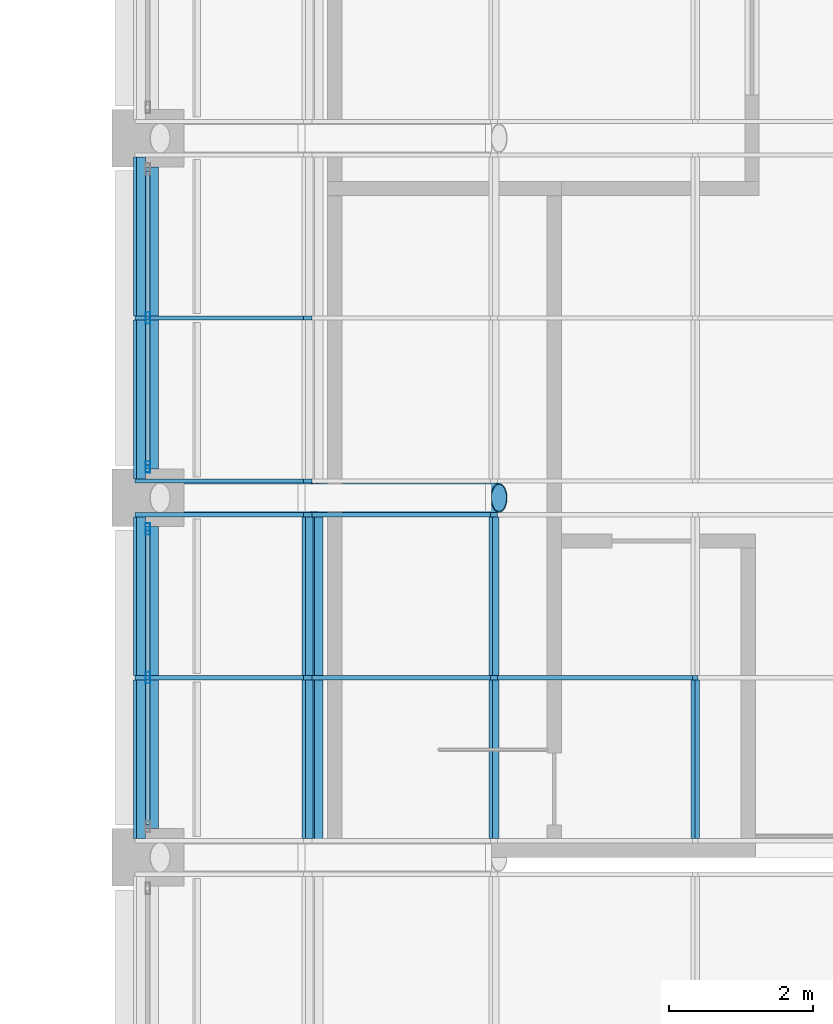
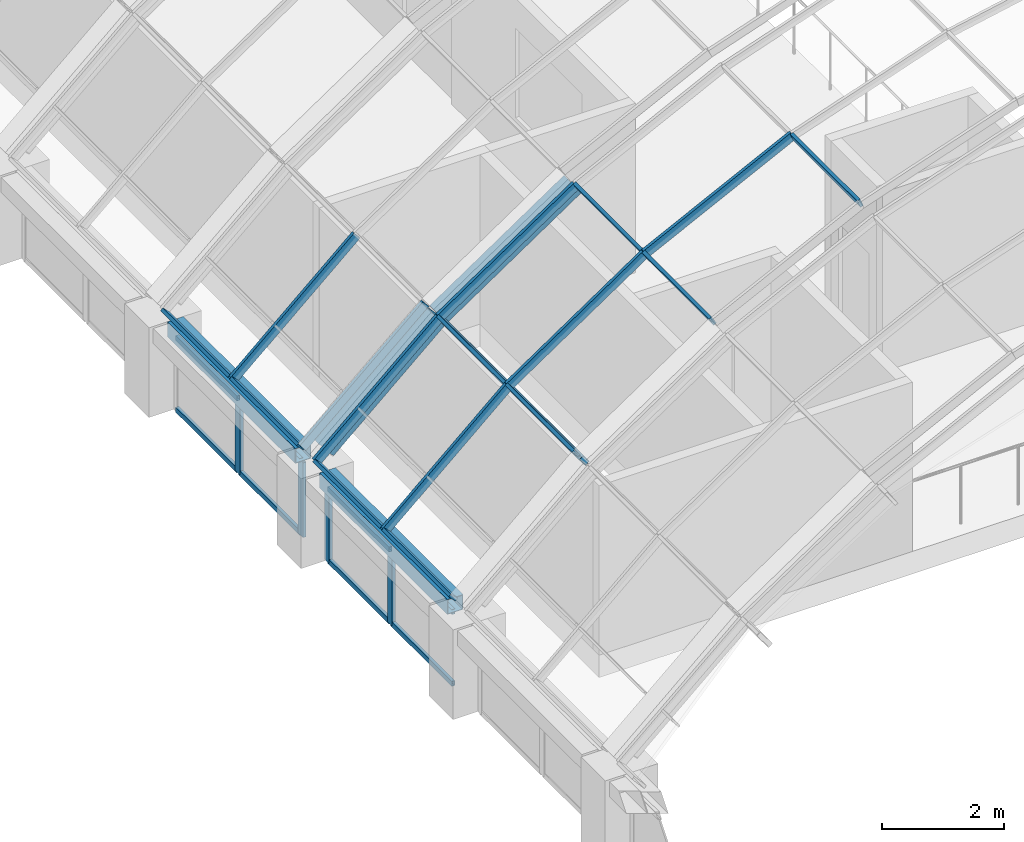
# One storey, part 38 of 182: 31 members, 2 beams, 4 elements without a shape of their own.
"""IFC4 building model written with IfcOpenShell, lengths in metres."""

from ifc_helpers import new_model, si_unit, direction, frame, origin, origin_2d, place, context, subcontext, project, spatial, rectangle, hollow_rectangle, hollow_circle, extrude, material, material_profile, profile_set, type_object, element, aggregate, save


model = new_model("IFC4")

# Units and contexts
model_context = context("Model", 3, precision=1e-05, world=origin(), true_north=direction((0.0, 1.0)))
body_context = subcontext(model_context, "Body", "Model", "MODEL_VIEW")
ifc_project = project(units=[si_unit("LENGTHUNIT", "METRE"), si_unit("AREAUNIT", "SQUARE_METRE"), si_unit("VOLUMEUNIT", "CUBIC_METRE"), si_unit("PLANEANGLEUNIT", "RADIAN"), si_unit("MASSUNIT", "GRAM", prefix="KILO")], contexts=[model_context])

# Site, building, storey
site_placement = place(None, origin())
site = spatial("IfcSite", under=ifc_project, at=site_placement, CompositionType="ELEMENT")
building_placement = place(site_placement, origin())
building = spatial("IfcBuilding", under=site, at=building_placement, Name="Okhra Congress Centre", CompositionType="ELEMENT")
storey_placement = place(building_placement, frame((0.0, 0.0, 7.199951171875)))
storey = spatial("IfcBuildingStorey", under=building, at=storey_placement, Name="L01", CompositionType="ELEMENT", Elevation=7.199951171875)

# Curtain wall, members
ifc_material_1 = material(Name="Aluminium frame with triple glazing", Category="aluminium")
curtain_wall_type_1 = type_object("IfcCurtainWallType", Name="Glazed vault bay curtain wall", PredefinedType="NOTDEFINED", material=ifc_material_1)
curtain_wall_1_placement = place(storey_placement, origin())
curtain_wall_1 = element("IfcCurtainWall", 1, at=curtain_wall_1_placement, inside=storey, type_object=curtain_wall_type_1, Name="Vault glazing bay 5", PredefinedType="NOTDEFINED")
ifc_material_2 = material(Name="Aluminium alloy 6063", Category="aluminium")
ifc_material_profile_1 = material_profile(ifc_material_2, rectangle(XDim=0.06005859375, YDim=0.179931640625, at=origin_2d()), Name="AL 60x180")
ifc_profile_set_1 = profile_set([ifc_material_profile_1], Name="Aluminium alloy 6063")
member_type_1 = type_object("IfcMemberType", Name="Aluminium mullion 60x180", PredefinedType="MULLION", material=ifc_profile_set_1)
member_1_placement = place(storey_placement, frame((155.382568359375, 98.5, 1.916015625), z_axis=(0.748025229923, 0.0, 0.663670291183), x_axis=(0.0, 1.0, 0.0)))
member_1 = element("IfcMember", 2, at=member_1_placement, type_object=member_type_1, Name="Vault mullion 5.2.1", PredefinedType="MULLION", context=body_context, shape_type="SweptSolid", body=[
    extrude(rectangle(XDim=0.06005859375, YDim=0.179931640625, at=origin_2d()), origin(), (0.0, 0.0, 1.0), 3.125732421875),
])
member_2_placement = place(storey_placement, frame((157.720703125, 98.5, 3.990478515625), z_axis=(0.828827846338, 0.0, 0.559503709671), x_axis=(0.0, 1.0, 0.0)))
member_2 = element("IfcMember", 3, at=member_2_placement, type_object=member_type_1, Name="Vault mullion 5.2.2", PredefinedType="MULLION", context=body_context, shape_type="SweptSolid", body=[
    extrude(rectangle(XDim=0.06005859375, YDim=0.179931640625, at=origin_2d()), origin(), (0.0, 0.0, 1.0), 3.12548828125),
])
member_3_placement = place(storey_placement, frame((160.311279296875, 98.5, 5.7392578125), z_axis=(0.895253656313, 0.0, 0.445556832354), x_axis=(0.0, 1.0, 0.0)))
member_3 = element("IfcMember", 4, at=member_3_placement, type_object=member_type_1, Name="Vault mullion 5.2.3", PredefinedType="MULLION", context=body_context, shape_type="SweptSolid", body=[
    extrude(rectangle(XDim=0.06005859375, YDim=0.179931640625, at=origin_2d()), origin(), (0.0, 0.0, 1.0), 3.12548828125),
])
member_4_placement = place(storey_placement, frame((155.382568359375, 100.766845703125, 1.916015625), z_axis=(0.748025229923, 0.0, 0.663670291183), x_axis=(0.0, 1.0, 0.0)))
member_4 = element("IfcMember", 5, at=member_4_placement, type_object=member_type_1, Name="Vault mullion 5.3.1", PredefinedType="MULLION", context=body_context, shape_type="SweptSolid", body=[
    extrude(rectangle(XDim=0.06005859375, YDim=0.179931640625, at=origin_2d()), origin(), (0.0, 0.0, 1.0), 3.125732421875),
])
member_5_placement = place(storey_placement, frame((157.720703125, 100.766845703125, 3.990478515625), z_axis=(0.828827846338, 0.0, 0.559503709671), x_axis=(0.0, 1.0, 0.0)))
member_5 = element("IfcMember", 6, at=member_5_placement, type_object=member_type_1, Name="Vault mullion 5.3.2", PredefinedType="MULLION", context=body_context, shape_type="SweptSolid", body=[
    extrude(rectangle(XDim=0.06005859375, YDim=0.179931640625, at=origin_2d()), origin(), (0.0, 0.0, 1.0), 3.12548828125),
])

curtain_wall_2_placement = place(storey_placement, origin())
curtain_wall_2 = element("IfcCurtainWall", 7, at=curtain_wall_2_placement, inside=storey, type_object=curtain_wall_type_1, Name="Vault glazing bay 6", PredefinedType="NOTDEFINED")
member_6_placement = place(storey_placement, frame((155.382568359375, 101.233154296875, 1.916015625), z_axis=(0.748025229923, 0.0, 0.663670291183), x_axis=(0.0, 1.0, 0.0)))
member_6 = element("IfcMember", 8, at=member_6_placement, type_object=member_type_1, Name="Vault mullion 6.1.1", PredefinedType="MULLION", context=body_context, shape_type="SweptSolid", body=[
    extrude(rectangle(XDim=0.06005859375, YDim=0.179931640625, at=origin_2d()), origin(), (0.0, 0.0, 1.0), 3.125732421875),
])
member_7_placement = place(storey_placement, frame((155.382568359375, 103.5, 1.916015625), z_axis=(0.748025229923, 0.0, 0.663670291183), x_axis=(0.0, 1.0, 0.0)))
member_7 = element("IfcMember", 9, at=member_7_placement, type_object=member_type_1, Name="Vault mullion 6.2.1", PredefinedType="MULLION", context=body_context, shape_type="SweptSolid", body=[
    extrude(rectangle(XDim=0.06005859375, YDim=0.179931640625, at=origin_2d()), origin(), (0.0, 0.0, 1.0), 3.125732421875),
])

# Member
ifc_material_profile_2 = material_profile(ifc_material_2, rectangle(XDim=0.06005859375, YDim=0.159912109375, at=origin_2d()), Name="AL 60x160 transom")
ifc_profile_set_2 = profile_set([ifc_material_profile_2], Name="Aluminium alloy 6063")
member_type_2 = type_object("IfcMemberType", Name="Aluminium transom 60x160", PredefinedType="USERDEFINED", material=ifc_profile_set_2)
member_8_placement = place(storey_placement, frame((163.11328125, 96.26318359375, 7.12255859375), z_axis=(0.0, 1.0, 0.0), x_axis=(-0.922668973833, 0.0, -0.38559300399)))
member_8 = element("IfcMember", 10, at=member_8_placement, type_object=member_type_2, Name="Vault transom 5.1.4", ObjectType="TRANSOM", PredefinedType="USERDEFINED", context=body_context, shape_type="SweptSolid", body=[
    extrude(rectangle(XDim=0.06005859375, YDim=0.159912109375, at=origin_2d()), origin(), (0.0, 0.0, 1.0), 2.206787109375),
])

ifc_material_profile_3 = material_profile(ifc_material_2, rectangle(XDim=0.06005859375, YDim=0.179931640625, at=origin_2d()), Name="AL 60x180 transom")
ifc_profile_set_3 = profile_set([ifc_material_profile_3], Name="Aluminium alloy 6063")
member_type_3 = type_object("IfcMemberType", Name="Aluminium transom 60x180", PredefinedType="USERDEFINED", material=ifc_profile_set_3)
member_9_placement = place(storey_placement, frame((155.382568359375, 96.26318359375, 1.916015625), z_axis=(0.0, 1.0, 0.0), x_axis=(-0.702636070549, 0.0, -0.711549402616)))
member_9 = element("IfcMember", 11, at=member_9_placement, type_object=member_type_3, Name="Vault transom 5.1.1", ObjectType="TRANSOM", PredefinedType="USERDEFINED", context=body_context, shape_type="SweptSolid", body=[
    extrude(rectangle(XDim=0.06005859375, YDim=0.179931640625, at=origin_2d()), origin(), (0.0, 0.0, 1.0), 2.206787109375),
])

member_10_placement = place(storey_placement, frame((157.720703125, 96.26318359375, 3.990478515625), z_axis=(0.0, 1.0, 0.0), x_axis=(-0.790145035185, 0.0, -0.612919915954)))
member_10 = element("IfcMember", 12, at=member_10_placement, type_object=member_type_3, Name="Vault transom 5.1.2", ObjectType="TRANSOM", PredefinedType="USERDEFINED", context=body_context, shape_type="SweptSolid", body=[
    extrude(rectangle(XDim=0.06005859375, YDim=0.179931640625, at=origin_2d()), origin(), (0.0, 0.0, 1.0), 2.206787109375),
])

member_11_placement = place(storey_placement, frame((160.311279296875, 96.26318359375, 5.7392578125), z_axis=(0.0, 1.0, 0.0), x_axis=(-0.86391685861, 0.0, -0.503634452167)))
member_11 = element("IfcMember", 13, at=member_11_placement, type_object=member_type_3, Name="Vault transom 5.1.3", ObjectType="TRANSOM", PredefinedType="USERDEFINED", context=body_context, shape_type="SweptSolid", body=[
    extrude(rectangle(XDim=0.06005859375, YDim=0.179931640625, at=origin_2d()), origin(), (0.0, 0.0, 1.0), 2.206787109375),
])

member_12_placement = place(storey_placement, frame((155.382568359375, 98.530029296875, 1.916015625), z_axis=(0.0, 1.0, 0.0), x_axis=(-0.702636070549, 0.0, -0.711549402616)))
member_12 = element("IfcMember", 14, at=member_12_placement, type_object=member_type_3, Name="Vault transom 5.2.1", ObjectType="TRANSOM", PredefinedType="USERDEFINED", context=body_context, shape_type="SweptSolid", body=[
    extrude(rectangle(XDim=0.06005859375, YDim=0.179931640625, at=origin_2d()), origin(), (0.0, 0.0, 1.0), 2.206787109375),
])

member_13_placement = place(storey_placement, frame((157.720703125, 98.530029296875, 3.990478515625), z_axis=(0.0, 1.0, 0.0), x_axis=(-0.790145035185, 0.0, -0.612919915954)))
member_13 = element("IfcMember", 15, at=member_13_placement, type_object=member_type_3, Name="Vault transom 5.2.2", ObjectType="TRANSOM", PredefinedType="USERDEFINED", context=body_context, shape_type="SweptSolid", body=[
    extrude(rectangle(XDim=0.06005859375, YDim=0.179931640625, at=origin_2d()), origin(), (0.0, 0.0, 1.0), 2.206787109375),
])

member_14_placement = place(storey_placement, frame((160.311279296875, 98.530029296875, 5.7392578125), z_axis=(0.0, 1.0, 0.0), x_axis=(-0.86391685861, 0.0, -0.503634452167)))
member_14 = element("IfcMember", 16, at=member_14_placement, type_object=member_type_3, Name="Vault transom 5.2.3", ObjectType="TRANSOM", PredefinedType="USERDEFINED", context=body_context, shape_type="SweptSolid", body=[
    extrude(rectangle(XDim=0.06005859375, YDim=0.179931640625, at=origin_2d()), origin(), (0.0, 0.0, 1.0), 2.206787109375),
])

aggregate(curtain_wall_1, [member_1, member_2, member_3, member_4, member_5, member_9, member_10, member_11, member_8, member_12, member_13, member_14])

member_15_placement = place(storey_placement, frame((155.382568359375, 101.26318359375, 1.916015625), z_axis=(0.0, 1.0, 0.0), x_axis=(-0.702636070549, 0.0, -0.711549402616)))
member_15 = element("IfcMember", 17, at=member_15_placement, type_object=member_type_3, Name="Vault transom 6.1.1", ObjectType="TRANSOM", PredefinedType="USERDEFINED", context=body_context, shape_type="SweptSolid", body=[
    extrude(rectangle(XDim=0.06005859375, YDim=0.179931640625, at=origin_2d()), origin(), (0.0, 0.0, 1.0), 2.206787109375),
])

member_16_placement = place(storey_placement, frame((155.382568359375, 103.530029296875, 1.916015625), z_axis=(0.0, 1.0, 0.0), x_axis=(-0.702636070549, 0.0, -0.711549402616)))
member_16 = element("IfcMember", 18, at=member_16_placement, type_object=member_type_3, Name="Vault transom 6.2.1", ObjectType="TRANSOM", PredefinedType="USERDEFINED", context=body_context, shape_type="SweptSolid", body=[
    extrude(rectangle(XDim=0.06005859375, YDim=0.179931640625, at=origin_2d()), origin(), (0.0, 0.0, 1.0), 2.206787109375),
])

aggregate(curtain_wall_2, [member_6, member_7, member_15, member_16])

# Curtain wall, members
ifc_material_3 = material(Name="Aluminium curtain wall, triple glazing", Category="aluminium")
curtain_wall_type_2 = type_object("IfcCurtainWallType", Name="Curtain wall 2100 module", PredefinedType="NOTDEFINED", material=ifc_material_3)
curtain_wall_3_placement = place(storey_placement, origin())
curtain_wall_3 = element("IfcCurtainWall", 19, at=curtain_wall_3_placement, inside=storey, type_object=curtain_wall_type_2, Name="West bay 5 clerestory glazing", PredefinedType="NOTDEFINED")
ifc_material_4 = material(Name="Aluminium alloy EN AW-6063 T66", Category="aluminium")
ifc_material_profile_4 = material_profile(ifc_material_4, hollow_rectangle(XDim=0.06005859375, YDim=0.159912109375, WallThickness=0.00390625, at=origin_2d()), Name="RHS 60x160x4")
ifc_profile_set_4 = profile_set([ifc_material_profile_4], Name="Aluminium alloy EN AW-6063 T66")
member_type_4 = type_object("IfcMemberType", Name="Curtain wall mullion 60x160", PredefinedType="MULLION", material=ifc_profile_set_4)
member_17_placement = place(storey_placement, frame((155.5, 98.5, 0.0), z_axis=(0.0, 0.0, 1.0), x_axis=(-1.0, 0.0, 0.0)))
member_17 = element("IfcMember", 20, at=member_17_placement, type_object=member_type_4, Name="CW4 mullion 2", PredefinedType="MULLION", context=body_context, shape_type="SweptSolid", body=[
    extrude(hollow_rectangle(XDim=0.06005859375, YDim=0.159912109375, WallThickness=0.00390625, at=origin_2d()), origin(), (0.0, 0.0, 1.0), 1.5),
])
member_18_placement = place(storey_placement, frame((155.5, 100.570068359375, 0.0), z_axis=(0.0, 0.0, 1.0), x_axis=(-1.0, 0.0, 0.0)))
member_18 = element("IfcMember", 21, at=member_18_placement, type_object=member_type_4, Name="CW4 mullion 3", PredefinedType="MULLION", context=body_context, shape_type="SweptSolid", body=[
    extrude(hollow_rectangle(XDim=0.06005859375, YDim=0.159912109375, WallThickness=0.00390625, at=origin_2d()), origin(), (0.0, 0.0, 1.0), 1.5),
])

curtain_wall_4_placement = place(storey_placement, origin())
curtain_wall_4 = element("IfcCurtainWall", 22, at=curtain_wall_4_placement, inside=storey, type_object=curtain_wall_type_2, Name="West bay 6 clerestory glazing", PredefinedType="NOTDEFINED")
member_19_placement = place(storey_placement, frame((155.5, 101.429931640625, 0.0), z_axis=(0.0, 0.0, 1.0), x_axis=(-1.0, 0.0, 0.0)))
member_19 = element("IfcMember", 23, at=member_19_placement, type_object=member_type_4, Name="CW4 mullion 1", PredefinedType="MULLION", context=body_context, shape_type="SweptSolid", body=[
    extrude(hollow_rectangle(XDim=0.06005859375, YDim=0.159912109375, WallThickness=0.00390625, at=origin_2d()), origin(), (0.0, 0.0, 1.0), 1.5),
])
member_20_placement = place(storey_placement, frame((155.5, 103.5, 0.0), z_axis=(0.0, 0.0, 1.0), x_axis=(-1.0, 0.0, 0.0)))
member_20 = element("IfcMember", 24, at=member_20_placement, type_object=member_type_4, Name="CW4 mullion 2", PredefinedType="MULLION", context=body_context, shape_type="SweptSolid", body=[
    extrude(hollow_rectangle(XDim=0.06005859375, YDim=0.159912109375, WallThickness=0.00390625, at=origin_2d()), origin(), (0.0, 0.0, 1.0), 1.5),
])

# Member
ifc_material_profile_5 = material_profile(ifc_material_4, hollow_rectangle(XDim=0.06005859375, YDim=0.10009765625, WallThickness=0.00390625, at=origin_2d()), Name="RHS 60x100x4")
ifc_profile_set_5 = profile_set([ifc_material_profile_5], Name="Aluminium alloy EN AW-6063 T66")
member_type_5 = type_object("IfcMemberType", Name="Curtain wall transom 60x100", PredefinedType="USERDEFINED", material=ifc_profile_set_5)
member_21_placement = place(storey_placement, frame((155.5, 96.4599609375, 0.030029296875), z_axis=(0.0, 1.0, 0.0), x_axis=(-1.0, 0.0, 0.0)))
member_21 = element("IfcMember", 25, at=member_21_placement, type_object=member_type_5, Name="CW4 transom 1.1", ObjectType="TRANSOM", PredefinedType="USERDEFINED", context=body_context, shape_type="SweptSolid", body=[
    extrude(hollow_rectangle(XDim=0.06005859375, YDim=0.10009765625, WallThickness=0.00390625, at=origin_2d()), origin(), (0.0, 0.0, 1.0), 2.010009765625),
])

member_22_placement = place(storey_placement, frame((155.5, 96.4599609375, 1.469970703125), z_axis=(0.0, 1.0, 0.0), x_axis=(-1.0, 0.0, 0.0)))
member_22 = element("IfcMember", 26, at=member_22_placement, type_object=member_type_5, Name="CW4 transom 1.2", ObjectType="TRANSOM", PredefinedType="USERDEFINED", context=body_context, shape_type="SweptSolid", body=[
    extrude(hollow_rectangle(XDim=0.06005859375, YDim=0.10009765625, WallThickness=0.00390625, at=origin_2d()), origin(), (0.0, 0.0, 1.0), 2.010009765625),
])

member_23_placement = place(storey_placement, frame((155.5, 98.530029296875, 0.030029296875), z_axis=(0.0, 1.0, 0.0), x_axis=(-1.0, 0.0, 0.0)))
member_23 = element("IfcMember", 27, at=member_23_placement, type_object=member_type_5, Name="CW4 transom 2.1", ObjectType="TRANSOM", PredefinedType="USERDEFINED", context=body_context, shape_type="SweptSolid", body=[
    extrude(hollow_rectangle(XDim=0.06005859375, YDim=0.10009765625, WallThickness=0.00390625, at=origin_2d()), origin(), (0.0, 0.0, 1.0), 2.010009765625),
])

member_24_placement = place(storey_placement, frame((155.5, 98.530029296875, 1.469970703125), z_axis=(0.0, 1.0, 0.0), x_axis=(-1.0, 0.0, 0.0)))
member_24 = element("IfcMember", 28, at=member_24_placement, type_object=member_type_5, Name="CW4 transom 2.2", ObjectType="TRANSOM", PredefinedType="USERDEFINED", context=body_context, shape_type="SweptSolid", body=[
    extrude(hollow_rectangle(XDim=0.06005859375, YDim=0.10009765625, WallThickness=0.00390625, at=origin_2d()), origin(), (0.0, 0.0, 1.0), 2.010009765625),
])

aggregate(curtain_wall_3, [member_17, member_18, member_21, member_22, member_23, member_24])

member_25_placement = place(storey_placement, frame((155.5, 101.4599609375, 0.030029296875), z_axis=(0.0, 1.0, 0.0), x_axis=(-1.0, 0.0, 0.0)))
member_25 = element("IfcMember", 29, at=member_25_placement, type_object=member_type_5, Name="CW4 transom 1.1", ObjectType="TRANSOM", PredefinedType="USERDEFINED", context=body_context, shape_type="SweptSolid", body=[
    extrude(hollow_rectangle(XDim=0.06005859375, YDim=0.10009765625, WallThickness=0.00390625, at=origin_2d()), origin(), (0.0, 0.0, 1.0), 2.010009765625),
])

member_26_placement = place(storey_placement, frame((155.5, 101.4599609375, 1.469970703125), z_axis=(0.0, 1.0, 0.0), x_axis=(-1.0, 0.0, 0.0)))
member_26 = element("IfcMember", 30, at=member_26_placement, type_object=member_type_5, Name="CW4 transom 1.2", ObjectType="TRANSOM", PredefinedType="USERDEFINED", context=body_context, shape_type="SweptSolid", body=[
    extrude(hollow_rectangle(XDim=0.06005859375, YDim=0.10009765625, WallThickness=0.00390625, at=origin_2d()), origin(), (0.0, 0.0, 1.0), 2.010009765625),
])

member_27_placement = place(storey_placement, frame((155.5, 103.530029296875, 0.030029296875), z_axis=(0.0, 1.0, 0.0), x_axis=(-1.0, 0.0, 0.0)))
member_27 = element("IfcMember", 31, at=member_27_placement, type_object=member_type_5, Name="CW4 transom 2.1", ObjectType="TRANSOM", PredefinedType="USERDEFINED", context=body_context, shape_type="SweptSolid", body=[
    extrude(hollow_rectangle(XDim=0.06005859375, YDim=0.10009765625, WallThickness=0.00390625, at=origin_2d()), origin(), (0.0, 0.0, 1.0), 2.010009765625),
])

member_28_placement = place(storey_placement, frame((155.5, 103.530029296875, 1.469970703125), z_axis=(0.0, 1.0, 0.0), x_axis=(-1.0, 0.0, 0.0)))
member_28 = element("IfcMember", 32, at=member_28_placement, type_object=member_type_5, Name="CW4 transom 2.2", ObjectType="TRANSOM", PredefinedType="USERDEFINED", context=body_context, shape_type="SweptSolid", body=[
    extrude(hollow_rectangle(XDim=0.06005859375, YDim=0.10009765625, WallThickness=0.00390625, at=origin_2d()), origin(), (0.0, 0.0, 1.0), 2.010009765625),
])

aggregate(curtain_wall_4, [member_19, member_20, member_25, member_26, member_27, member_28])

# Beams
ifc_material_5 = material(Name="Steel S355J2", Category="steel")
ifc_material_profile_6 = material_profile(ifc_material_5, hollow_rectangle(XDim=0.300048828125, YDim=0.300048828125, WallThickness=0.012451171875, at=origin_2d()), Name="RHS 300x300x12.5")
ifc_profile_set_6 = profile_set([ifc_material_profile_6], Name="Steel S355J2")
beam_type = type_object("IfcBeamType", Name="Steel eaves beam RHS 300x300x12.5", PredefinedType="BEAM", material=ifc_profile_set_6)
for number, where, z_axis, x_axis, name in (
    (33, (155.5, 96.39990234375, 1.650146484375), (0.0, 1.0, 0.0), (-1.0, 0.0, 0.0), "Eaves beam W5"),
    (34, (155.5, 101.39990234375, 1.650146484375), (0.0, 1.0, 0.0), (-1.0, 0.0, 0.0), "Eaves beam W6"),
):
    element("IfcBeam", number, at=place(storey_placement, frame(where, z_axis=z_axis, x_axis=x_axis)), inside=storey, type_object=beam_type, Name=name, PredefinedType="BEAM", context=body_context, shape_type="SweptSolid", body=[
        extrude(hollow_rectangle(XDim=0.300048828125, YDim=0.300048828125, WallThickness=0.012451171875, at=origin_2d()), origin(), (0.0, 0.0, 1.0), 4.2001953125),
    ])

# Members
ifc_material_profile_7 = material_profile(ifc_material_5, hollow_rectangle(XDim=0.10009765625, YDim=0.199951171875, WallThickness=0.008056640625, at=origin_2d()), Name="RHS 200x100x8")
ifc_profile_set_7 = profile_set([ifc_material_profile_7], Name="Steel S355J2")
member_type_6 = type_object("IfcMemberType", Name="Steel purlin RHS 200x100x8", PredefinedType="PURLIN", material=ifc_profile_set_7)
member_29_placement = place(storey_placement, frame((157.837158203125, 96.203125, 3.84033203125), z_axis=(0.0, 1.0, 0.0), x_axis=(-0.790145035185, 0.0, -0.612919915954)))
element("IfcMember", 35, at=member_29_placement, inside=storey, type_object=member_type_6, Name="Vault purlin 5.1", PredefinedType="PURLIN", context=body_context, shape_type="SweptSolid", body=[
    extrude(hollow_rectangle(XDim=0.10009765625, YDim=0.199951171875, WallThickness=0.008056640625, at=origin_2d()), origin(), (0.0, 0.0, 1.0), 4.59375),
])
ifc_material_profile_8 = material_profile(ifc_material_5, hollow_circle(Radius=0.203125, WallThickness=0.01611328125, at=origin_2d()), Name="CHS 406.4x16")
ifc_profile_set_8 = profile_set([ifc_material_profile_8], Name="Steel S355J2")
member_type_7 = type_object("IfcMemberType", Name="Tubular steel arch rib CHS 406x16", PredefinedType="USERDEFINED", material=ifc_profile_set_8)
member_30_placement = place(storey_placement, frame((155.67138671875, 101.0, 1.9521484375), z_axis=(0.74800221093, 0.0, 0.663696235069), x_axis=(0.0, 1.0, 0.0)))
element("IfcMember", 36, at=member_30_placement, inside=storey, type_object=member_type_7, Name="Arch rib 6.1", ObjectType="Arch rib", PredefinedType="USERDEFINED", context=body_context, shape_type="SweptSolid", body=[
    extrude(hollow_circle(Radius=0.203125, WallThickness=0.01611328125, at=origin_2d()), origin(), (0.0, 0.0, 1.0), 2.861083984375),
])
member_31_placement = place(storey_placement, frame((157.8330078125, 101.0, 3.86767578125), z_axis=(0.82882567543, 0.0, 0.559506925558), x_axis=(0.0, 1.0, 0.0)))
element("IfcMember", 37, at=member_31_placement, inside=storey, type_object=member_type_7, Name="Arch rib 6.2", ObjectType="Arch rib", PredefinedType="USERDEFINED", context=body_context, shape_type="SweptSolid", body=[
    extrude(hollow_circle(Radius=0.203125, WallThickness=0.01611328125, at=origin_2d()), origin(), (0.0, 0.0, 1.0), 3.07666015625),
])

save(model, "model.ifc")
